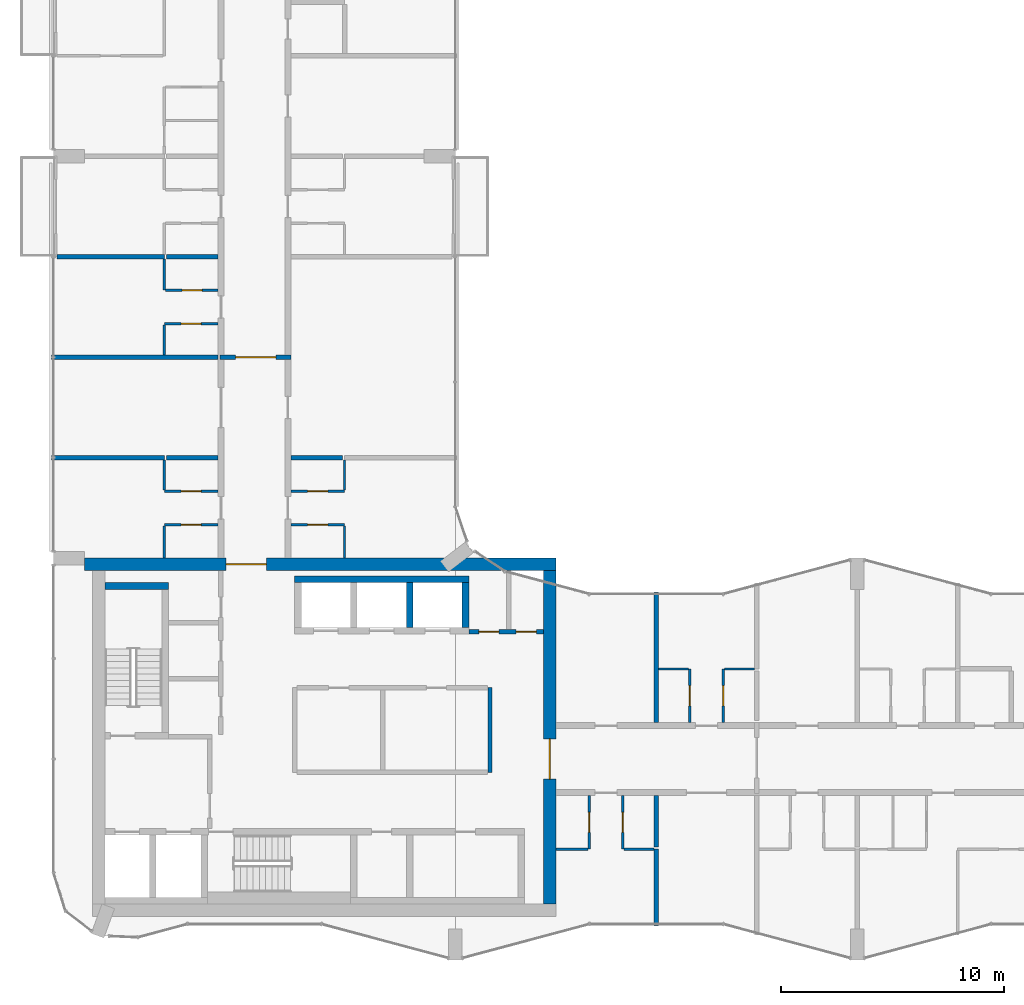
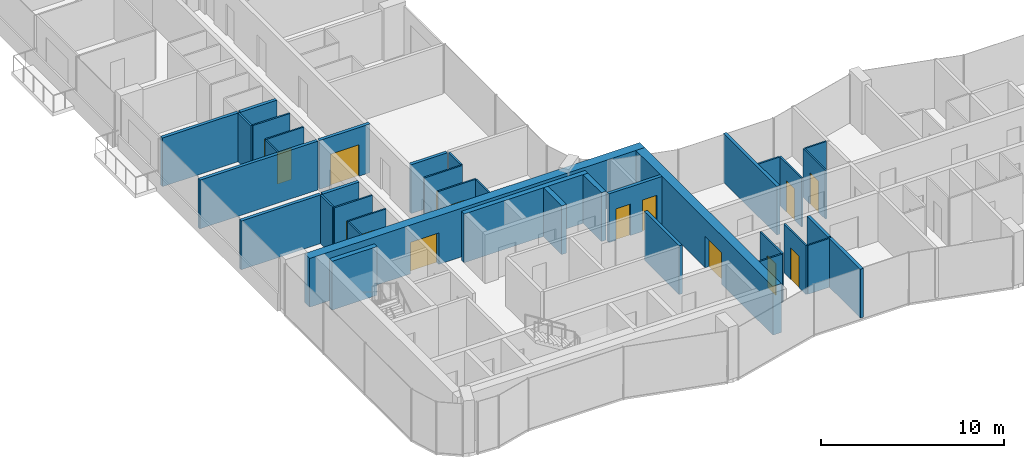
# One storey, part 10 of 15: 38 walls, 15 doors, 15 openings.
"""IFC4 building model written with IfcOpenShell, lengths in metres."""

import ifcopenshell
import ifcopenshell.guid

model = None  # the IFC model being written
_history = None  # IfcOwnerHistory: only IFC2X3 demands one
_inside = {}  # id of a spatial element -> (the spatial element, [elements in it])
_under = {}  # id of a project, library or spatial element -> (it, [spatial elements below it])
_declared = {}  # id of a project -> (the project, [libraries it declares])
_typed = {}  # id of a type object -> (the type object, [elements of that type])
_made_of = {}  # id of a material, layer set ... -> (it, [elements and type objects made of it])


def new_model(schema):
    """Start an empty IFC model of exactly this schema.

    Asked for "IFC4X3", IfcOpenShell would pick the latest addendum, in which some entities
    have other attributes; the version numbers below select the first issue.
    IFC2X3 requires an IfcOwnerHistory on every rooted entity: one is made here for all.
    """
    global model, _history
    if schema == "IFC4X3":
        model = ifcopenshell.file(schema_version=(4, 3, 0, 0))
    else:
        model = ifcopenshell.file(schema=schema)
    _inside.clear()
    _under.clear()
    _declared.clear()
    _typed.clear()
    _made_of.clear()
    _history = None
    if model.schema == "IFC2X3":
        org = make("IfcOrganization", Name="unknown")
        user = make(
            "IfcPersonAndOrganization",
            ThePerson=make("IfcPerson", FamilyName="unknown"),
            TheOrganization=org,
        )
        app = make(
            "IfcApplication",
            ApplicationDeveloper=org,
            Version="unknown",
            ApplicationFullName="unknown",
            ApplicationIdentifier="unknown",
        )
        _history = make(
            "IfcOwnerHistory",
            OwningUser=user,
            OwningApplication=app,
            ChangeAction="ADDED",
            CreationDate=0,
        )
    return model


def make(cls, **values):
    """One entity of the class cls with the attributes given. An attribute that is None is left unset."""
    return model.create_entity(
        cls, **{name: value for name, value in values.items() if value is not None}
    )


def rooted(cls, **values):
    """An entity with a GlobalId (a new one), such as an element, a storey or a relation."""
    return make(cls, GlobalId=ifcopenshell.guid.new(), OwnerHistory=_history, **values)


def si_unit(unit_type, name, prefix=None):
    """IfcSIUnit, for example si_unit("LENGTHUNIT", "METRE", prefix="MILLI")."""
    return make("IfcSIUnit", UnitType=unit_type, Prefix=prefix, Name=name)


def assignment(units):
    """IfcUnitAssignment: the units of a project."""
    return None if units is None else make("IfcUnitAssignment", Units=units)


def point(xyz):
    """IfcCartesianPoint."""
    return None if xyz is None else make("IfcCartesianPoint", Coordinates=xyz)


def direction(xyz):
    """IfcDirection."""
    return None if xyz is None else make("IfcDirection", DirectionRatios=xyz)


def frame(location, z_axis=None, x_axis=None):
    """IfcAxis2Placement3D, a coordinate frame: its origin and axes. An axis left out is left unset."""
    return make(
        "IfcAxis2Placement3D",
        Location=point(location),
        Axis=direction(z_axis),
        RefDirection=direction(x_axis),
    )


def frame_2d(location, x_axis=None):
    """IfcAxis2Placement2D, a coordinate frame in the plane: its origin and x axis."""
    return make(
        "IfcAxis2Placement2D", Location=point(location), RefDirection=direction(x_axis)
    )


def origin():
    """The frame at (0, 0, 0) with its axes left unset."""
    return frame((0.0, 0.0, 0.0))


def place(relative_to, where):
    """IfcLocalPlacement: puts the frame where relative to a parent placement (None: the world)."""
    return make(
        "IfcLocalPlacement", PlacementRelTo=relative_to, RelativePlacement=where
    )


def context(
    kind, dimensions, precision=None, world=None, true_north=None, identifier=None
):
    """IfcGeometricRepresentationContext, for example the 3D "Model" context."""
    return make(
        "IfcGeometricRepresentationContext",
        ContextIdentifier=identifier,
        ContextType=kind,
        CoordinateSpaceDimension=dimensions,
        Precision=precision,
        WorldCoordinateSystem=world,
        TrueNorth=true_north,
    )


def subcontext(parent, identifier, kind, view, scale=None):
    """IfcGeometricRepresentationSubContext, for example "Body" below "Model"."""
    return make(
        "IfcGeometricRepresentationSubContext",
        ContextIdentifier=identifier,
        ContextType=kind,
        ParentContext=parent,
        TargetScale=scale,
        TargetView=view,
    )


def project(units=None, contexts=None):
    """IfcProject with its units and contexts."""
    return rooted(
        "IfcProject",
        Name="project",
        RepresentationContexts=contexts,
        UnitsInContext=assignment(units),
    )


def spatial(cls, under=None, at=None, **own):
    """A site, building, storey or space (cls), placed at a placement, below another one or the project."""
    s = rooted(cls, ObjectPlacement=at, **own)
    if under is not None:
        _under.setdefault(under.id(), (under, []))[1].append(s)
    return s


def profile(cls, at=None, kind="AREA", **sizes):
    """A parametric profile (cls). Its sizes go by their IFC names, for example OverallWidth=200.0."""
    return make(cls, ProfileType=kind, Position=at, **sizes)


def rectangle(**sizes):
    """IfcRectangleProfileDef."""
    return profile("IfcRectangleProfileDef", **sizes)


def extrude(swept, where, along, depth):
    """IfcExtrudedAreaSolid: the profile swept, set in the frame where, extruded along a direction by depth."""
    return make(
        "IfcExtrudedAreaSolid",
        SweptArea=swept,
        Position=where,
        ExtrudedDirection=direction(along),
        Depth=depth,
    )


def shape(context_of_items, identifier, shape_type, items):
    """IfcShapeRepresentation: the items that make up one representation, for example the "Body"."""
    return make(
        "IfcShapeRepresentation",
        ContextOfItems=context_of_items,
        RepresentationIdentifier=identifier,
        RepresentationType=shape_type,
        Items=items,
    )


def material(Name=None, Category=None):
    """IfcMaterial."""
    return make("IfcMaterial", Name=Name, Category=Category)


def layer(
    of_material, thickness, ventilated=None, Name=None, Category=None, Priority=None
):
    """IfcMaterialLayer: one layer of a wall or slab, of a material (None: an air gap)."""
    return make(
        "IfcMaterialLayer",
        Material=of_material,
        LayerThickness=thickness,
        IsVentilated=ventilated,
        Name=Name,
        Category=Category,
        Priority=Priority,
    )


def layer_set(layers, Name=None):
    """IfcMaterialLayerSet."""
    return make("IfcMaterialLayerSet", MaterialLayers=layers, LayerSetName=Name)


def made_of(thing, what):
    """Note that an element or type object is made of a material, layer set ...; save() writes the relation."""
    if what is not None:
        _made_of.setdefault(what.id(), (what, []))[1].append(thing)
    return thing


def type_object(cls, material=None, **own):
    """A type object (cls), such as IfcWallType, which elements share."""
    return made_of(rooted(cls, **own), material)


def element(
    cls,
    number,
    at=None,
    inside=None,
    cuts=None,
    type_object=None,
    material=None,
    context=None,
    identifier="Body",
    shape_type=None,
    held_by="IfcProductDefinitionShape",
    body=None,
    shapes=None,
    **own,
):
    """One element of the class cls, such as IfcWall. Its Tag is "e" and its number.

    at: its placement. inside: the storey or other place that contains it. cuts: it is an
    opening in that element (IfcRelVoidsElement). A single representation is given by context,
    identifier, shape_type and body (its items); several are given by shapes. held_by: the class
    of the entity that holds the representations. save() writes the other relations.
    """
    e = rooted(cls, Tag="e%d" % number, ObjectPlacement=at, **own)
    if body is not None:
        shapes = [shape(context, identifier, shape_type, body)]
    if shapes is not None:
        e.Representation = make(held_by, Representations=shapes)
    if inside is not None:
        _inside.setdefault(inside.id(), (inside, []))[1].append(e)
    if cuts is not None:
        rooted(
            "IfcRelVoidsElement", RelatingBuildingElement=cuts, RelatedOpeningElement=e
        )
    if type_object is not None:
        _typed.setdefault(type_object.id(), (type_object, []))[1].append(e)
    return made_of(e, material)


def fill(opening, filler):
    """IfcRelFillsElement: the door or window that sits in an opening."""
    return rooted(
        "IfcRelFillsElement",
        RelatingOpeningElement=opening,
        RelatedBuildingElement=filler,
    )


def aggregate(whole, parts):
    """IfcRelAggregates: a whole, such as a stair, and the parts it consists of."""
    return rooted("IfcRelAggregates", RelatingObject=whole, RelatedObjects=parts)


def save(model, path):
    """Write the relations noted so far, then the file.

    IfcRelAggregates (storeys below a building ...), IfcRelContainedInSpatialStructure (elements
    in a storey), IfcRelDefinesByType, IfcRelAssociatesMaterial and IfcRelDeclares: one each for
    every whole, place, type object, material and project.
    """
    for whole, parts in _under.values():
        aggregate(whole, parts)
    for where, things in _inside.values():
        rooted(
            "IfcRelContainedInSpatialStructure",
            RelatedElements=things,
            RelatingStructure=where,
        )
    for kind, things in _typed.values():
        rooted("IfcRelDefinesByType", RelatedObjects=things, RelatingType=kind)
    for what, things in _made_of.values():
        rooted("IfcRelAssociatesMaterial", RelatedObjects=things, RelatingMaterial=what)
    for by, libraries in _declared.values():
        rooted("IfcRelDeclares", RelatingContext=by, RelatedDefinitions=libraries)
    model.write(path)


model = new_model("IFC4")

# Units and contexts
model_context = context("Model", 3, precision=1e-05, world=origin(), true_north=direction((0.0, 1.0)))
body_context = subcontext(model_context, "Body", "Model", "MODEL_VIEW")
ifc_project = project(units=[si_unit("LENGTHUNIT", "METRE"), si_unit("AREAUNIT", "SQUARE_METRE"), si_unit("VOLUMEUNIT", "CUBIC_METRE"), si_unit("PLANEANGLEUNIT", "RADIAN"), si_unit("MASSUNIT", "GRAM", prefix="KILO")], contexts=[model_context])

# Site, building, storey
site_placement = place(None, origin())
site = spatial("IfcSite", under=ifc_project, at=site_placement, CompositionType="ELEMENT")
building_placement = place(site_placement, origin())
building = spatial("IfcBuilding", under=site, at=building_placement, Name="Plateau Cross Towers", CompositionType="ELEMENT")
storey_placement = place(building_placement, frame((0.0, 0.0, 197.89990234375)))
storey = spatial("IfcBuildingStorey", under=building, at=storey_placement, Name="L51", CompositionType="ELEMENT", Elevation=197.89990234375)

# Wall
ifc_material_1 = material(Name="Concrete block, plastered both sides", Category="concrete")
ifc_layer_1 = layer(ifc_material_1, 0.199951171875)
ifc_layer_set_1 = layer_set([ifc_layer_1], Name="Concrete block, plastered both sides")
wall_type_1 = type_object("IfcWallType", Name="Core partition 200", PredefinedType="PARTITIONING", material=ifc_layer_set_1)
wall_1_placement = place(storey_placement, frame((19.550048828125, 8.39990234375, 0.0), z_axis=(0.0, 0.0, 1.0), x_axis=(0.0, 1.0, 0.0)))
element("IfcWall", 1, at=wall_1_placement, inside=storey, type_object=wall_type_1, Name="Core partition", PredefinedType="PARTITIONING", context=body_context, shape_type="SweptSolid", body=[
    extrude(rectangle(XDim=3.800048828125, YDim=0.199951171875, at=frame_2d((1.89990234375, 0.0))), origin(), (0.0, 0.0, 1.0), 3.25),
])

# Wall, openings, doors
wall_2_placement = place(storey_placement, frame((18.60009765625, 14.699951171875, 0.0), z_axis=(0.0, 0.0, 1.0), x_axis=(1.0, 0.0, 0.0)))
wall_2 = element("IfcWall", 2, at=wall_2_placement, inside=storey, type_object=wall_type_1, Name="Core partition", PredefinedType="PARTITIONING", context=body_context, shape_type="SweptSolid", body=[
    extrude(rectangle(XDim=3.349853515625, YDim=0.199951171875, at=frame_2d((1.6748046875, 0.0))), origin(), (0.0, 0.0, 1.0), 3.25),
])
opening_1_placement = place(wall_2_placement, frame((0.449951171875, 0.0, 0.0)))
opening_1 = element("IfcOpeningElement", 3, at=opening_1_placement, cuts=wall_2, Name="Opening RD2", PredefinedType="OPENING", context=body_context, shape_type="SweptSolid", body=[
    extrude(rectangle(XDim=0.89990234375, YDim=2.10009765625, at=frame_2d((0.449951171875, 1.050048828125))), frame((0.0, 0.10986328125, 0.0), z_axis=(0.0, -1.0, 0.0), x_axis=(1.0, 0.0, 0.0)), (0.0, 0.0, 1.0), 0.219970703125),
])
opening_2_placement = place(wall_2_placement, frame((2.125, 0.0, 0.0)))
opening_2 = element("IfcOpeningElement", 4, at=opening_2_placement, cuts=wall_2, Name="Opening RD2", PredefinedType="OPENING", context=body_context, shape_type="SweptSolid", body=[
    extrude(rectangle(XDim=0.89990234375, YDim=2.10009765625, at=frame_2d((0.449951171875, 1.050048828125))), frame((0.0, 0.10986328125, 0.0), z_axis=(0.0, -1.0, 0.0), x_axis=(1.0, 0.0, 0.0)), (0.0, 0.0, 1.0), 0.219970703125),
])
ifc_material_2 = material(Name="Steel, fire-resisting leaf", Category="steel")
door_type_1 = type_object("IfcDoorType", Name="Core riser door 900", OperationType="NOTDEFINED", PredefinedType="DOOR", material=ifc_material_2)
door_1_placement = place(opening_1_placement, origin())
door_1 = element("IfcDoor", 5, at=door_1_placement, inside=storey, type_object=door_type_1, Name="Core riser door RD2", OperationType="SINGLE_SWING_LEFT", OverallHeight=2.10009765625, OverallWidth=0.89990234375, PredefinedType="DOOR", context=body_context, shape_type="SweptSolid", body=[
    extrude(rectangle(XDim=0.89990234375, YDim=2.10009765625, at=frame_2d((0.449951171875, 1.050048828125))), frame((0.0, 0.02490234375, 0.0), z_axis=(0.0, -1.0, 0.0), x_axis=(1.0, 0.0, 0.0)), (0.0, 0.0, 1.0), 0.050048828125),
])
fill(opening_1, door_1)
door_2_placement = place(opening_2_placement, origin())
door_2 = element("IfcDoor", 6, at=door_2_placement, inside=storey, type_object=door_type_1, Name="Core riser door RD2", OperationType="SINGLE_SWING_LEFT", OverallHeight=2.10009765625, OverallWidth=0.89990234375, PredefinedType="DOOR", context=body_context, shape_type="SweptSolid", body=[
    extrude(rectangle(XDim=0.89990234375, YDim=2.10009765625, at=frame_2d((0.449951171875, 1.050048828125))), frame((0.0, 0.02490234375, 0.0), z_axis=(0.0, -1.0, 0.0), x_axis=(1.0, 0.0, 0.0)), (0.0, 0.0, 1.0), 0.050048828125),
])
fill(opening_2, door_2)

# Walls
ifc_material_3 = material(Name="Concrete C60/75", Category="concrete")
ifc_layer_2 = layer(ifc_material_3, 0.300048828125)
ifc_layer_set_2 = layer_set([ifc_layer_2], Name="Concrete C60/75")
wall_type_2 = type_object("IfcWallType", Name="Core shaft wall 300", PredefinedType="SHEAR", material=ifc_layer_set_2)
wall_3_placement = place(storey_placement, frame((2.300048828125, 16.75, 0.0), z_axis=(0.0, 0.0, 1.0), x_axis=(1.0, 0.0, 0.0)))
element("IfcWall", 7, at=wall_3_placement, inside=storey, type_object=wall_type_2, Name="A-st1-N@L51", PredefinedType="SHEAR", context=body_context, shape_type="SweptSolid", body=[
    extrude(rectangle(XDim=2.849853515625, YDim=0.300048828125, at=frame_2d((1.4248046875, 0.0))), origin(), (0.0, 0.0, 1.0), 3.25),
])
wall_4_placement = place(storey_placement, frame((10.800048828125, 17.050048828125, 0.0), z_axis=(0.0, 0.0, 1.0), x_axis=(1.0, 0.0, 0.0)))
element("IfcWall", 8, at=wall_4_placement, inside=storey, type_object=wall_type_2, Name="A-nb-back@L51", PredefinedType="SHEAR", context=body_context, shape_type="SweptSolid", body=[
    extrude(rectangle(XDim=7.800048828125, YDim=0.300048828125, at=frame_2d((3.89990234375, 0.0))), origin(), (0.0, 0.0, 1.0), 3.25),
])
for number, where, z_axis, x_axis, name in (
    (9, (15.949951171875, 14.89990234375, 0.0), (0.0, 0.0, 1.0), (0.0, 1.0, 0.0), "A-nb-v3@L51"),
    (10, (18.449951171875, 14.89990234375, 0.0), (0.0, 0.0, 1.0), (0.0, 1.0, 0.0), "A-nb-v4@L51"),
):
    element("IfcWall", number, at=place(storey_placement, frame(where, z_axis=z_axis, x_axis=x_axis)), inside=storey, type_object=wall_type_2, Name=name, PredefinedType="SHEAR", context=body_context, shape_type="SweptSolid", body=[
        extrude(rectangle(XDim=2.0, YDim=0.300048828125, at=frame_2d((1.0, 0.0))), origin(), (0.0, 0.0, 1.0), 3.25),
    ])

# Wall, opening, door
ifc_layer_3 = layer(ifc_material_3, 0.550048828125)
ifc_layer_set_3 = layer_set([ifc_layer_3], Name="Concrete C60/75")
wall_type_3 = type_object("IfcWallType", Name="Core shell wall 550", PredefinedType="SHEAR", material=ifc_layer_set_3)
wall_5_placement = place(storey_placement, frame((1.3798828125, 17.72509765625, 0.0), z_axis=(0.0, 0.0, 1.0), x_axis=(1.0, 0.0, 0.0)))
wall_5 = element("IfcWall", 11, at=wall_5_placement, inside=storey, type_object=wall_type_3, Name="A-core-N@L51", PredefinedType="SHEAR", context=body_context, shape_type="SweptSolid", body=[
    extrude(rectangle(XDim=21.1201171875, YDim=0.550048828125, at=frame_2d((10.56005859375, 0.0))), origin(), (0.0, 0.0, 1.0), 3.25),
])
opening_3_placement = place(wall_5_placement, frame((6.35009765625, 0.0, 0.0)))
opening_3 = element("IfcOpeningElement", 12, at=opening_3_placement, cuts=wall_5, Name="Opening CD", PredefinedType="OPENING", context=body_context, shape_type="SweptSolid", body=[
    extrude(rectangle(XDim=1.800048828125, YDim=2.10009765625, at=frame_2d((0.89990234375, 1.050048828125))), frame((0.0, 0.284912109375, 0.0), z_axis=(0.0, -1.0, 0.0), x_axis=(1.0, 0.0, 0.0)), (0.0, 0.0, 1.0), 0.570068359375),
])
ifc_material_4 = material(Name="Steel, fire-resisting leaves", Category="steel")
door_type_2 = type_object("IfcDoorType", Name="Corridor door pair 1800", OperationType="NOTDEFINED", PredefinedType="DOOR", material=ifc_material_4)
door_3_placement = place(opening_3_placement, origin())
door_3 = element("IfcDoor", 13, at=door_3_placement, inside=storey, type_object=door_type_2, Name="Corridor door pair CD", OperationType="DOUBLE_DOOR_SINGLE_SWING", OverallHeight=2.10009765625, OverallWidth=1.800048828125, PredefinedType="DOOR", context=body_context, shape_type="SweptSolid", body=[
    extrude(rectangle(XDim=1.800048828125, YDim=2.10009765625, at=frame_2d((0.89990234375, 1.050048828125))), frame((0.0, 0.02490234375, 0.0), z_axis=(0.0, -1.0, 0.0), x_axis=(1.0, 0.0, 0.0)), (0.0, 0.0, 1.0), 0.050048828125),
])
fill(opening_3, door_3)

wall_6_placement = place(storey_placement, frame((22.22509765625, 2.5, 0.0), z_axis=(0.0, 0.0, 1.0), x_axis=(0.0, 1.0, 0.0)))
wall_6 = element("IfcWall", 14, at=wall_6_placement, inside=storey, type_object=wall_type_3, Name="A-core-E@L51", PredefinedType="SHEAR", context=body_context, shape_type="SweptSolid", body=[
    extrude(rectangle(XDim=14.949951171875, YDim=0.550048828125, at=frame_2d((7.47509765625, 0.0))), origin(), (0.0, 0.0, 1.0), 3.25),
])
opening_4_placement = place(wall_6_placement, frame((5.60009765625, 0.0, 0.0)))
opening_4 = element("IfcOpeningElement", 15, at=opening_4_placement, cuts=wall_6, Name="Opening CD", PredefinedType="OPENING", context=body_context, shape_type="SweptSolid", body=[
    extrude(rectangle(XDim=1.800048828125, YDim=2.10009765625, at=frame_2d((0.89990234375, 1.050048828125))), frame((0.0, 0.284912109375, 0.0), z_axis=(0.0, -1.0, 0.0), x_axis=(1.0, 0.0, 0.0)), (0.0, 0.0, 1.0), 0.570068359375),
])
door_4_placement = place(opening_4_placement, origin())
door_4 = element("IfcDoor", 16, at=door_4_placement, inside=storey, type_object=door_type_2, Name="Corridor door pair CD", OperationType="DOUBLE_DOOR_SINGLE_SWING", OverallHeight=2.10009765625, OverallWidth=1.800048828125, PredefinedType="DOOR", context=body_context, shape_type="SweptSolid", body=[
    extrude(rectangle(XDim=1.800048828125, YDim=2.10009765625, at=frame_2d((0.89990234375, 1.050048828125))), frame((0.0, 0.02490234375, 0.0), z_axis=(0.0, -1.0, 0.0), x_axis=(1.0, 0.0, 0.0)), (0.0, 0.0, 1.0), 0.050048828125),
])
fill(opening_4, door_4)

# Walls
ifc_material_5 = material(Name="Gypsum board on steel studs", Category="steel")
ifc_layer_4 = layer(ifc_material_5, 0.10009765625)
ifc_layer_set_4 = layer_set([ifc_layer_4], Name="Gypsum board on steel studs")
wall_type_4 = type_object("IfcWallType", Name="Flat partition 100", PredefinedType="PARTITIONING", material=ifc_layer_set_4)
wall_7_placement = place(storey_placement, frame((22.5, 4.96240234375, 0.0), z_axis=(0.0, 0.0, 1.0), x_axis=(1.0, 0.0, 0.0)))
element("IfcWall", 17, at=wall_7_placement, inside=storey, type_object=wall_type_4, Name="Partition wall", PredefinedType="PARTITIONING", context=body_context, shape_type="SweptSolid", body=[
    extrude(rectangle(XDim=1.449951171875, YDim=0.10009765625, at=frame_2d((0.72509765625, 0.0))), origin(), (0.0, 0.0, 1.0), 3.25),
])
for number, where, z_axis, x_axis, name in (
    (18, (25.550048828125, 4.96240234375, 0.0), (0.0, 0.0, 1.0), (1.0, 0.0, 0.0), "Partition wall"),
    (19, (28.449951171875, 13.03759765625, 0.0), (0.0, 0.0, 1.0), (-1.0, 0.0, 0.0), "Partition wall"),
    (20, (31.39990234375, 13.03759765625, 0.0), (0.0, 0.0, 1.0), (-1.0, 0.0, 0.0), "Partition wall"),
):
    element("IfcWall", number, at=place(storey_placement, frame(where, z_axis=z_axis, x_axis=x_axis)), inside=storey, type_object=wall_type_4, Name=name, PredefinedType="PARTITIONING", context=body_context, shape_type="SweptSolid", body=[
        extrude(rectangle(XDim=1.349853515625, YDim=0.10009765625, at=frame_2d((0.6748046875, 0.0))), origin(), (0.0, 0.0, 1.0), 3.25),
    ])

# Wall, opening, door
wall_8_placement = place(storey_placement, frame((7.362548828125, 19.5, 0.0), z_axis=(0.0, 0.0, 1.0), x_axis=(-1.0, 0.0, 0.0)))
wall_8 = element("IfcWall", 21, at=wall_8_placement, inside=storey, type_object=wall_type_4, Name="Partition wall", PredefinedType="PARTITIONING", context=body_context, shape_type="SweptSolid", body=[
    extrude(rectangle(XDim=2.400146484375, YDim=0.10009765625, at=frame_2d((1.2001953125, 0.0))), origin(), (0.0, 0.0, 1.0), 3.25),
])
opening_5_placement = place(wall_8_placement, frame((0.75, 0.0, 0.0)))
opening_5 = element("IfcOpeningElement", 22, at=opening_5_placement, cuts=wall_8, Name="Opening 51-39", PredefinedType="OPENING", context=body_context, shape_type="SweptSolid", body=[
    extrude(rectangle(XDim=0.89990234375, YDim=2.10009765625, at=frame_2d((0.449951171875, 1.050048828125))), frame((0.0, 0.06005859375, 0.0), z_axis=(0.0, -1.0, 0.0), x_axis=(1.0, 0.0, 0.0)), (0.0, 0.0, 1.0), 0.1201171875),
])
ifc_material_6 = material(Name="Timber leaf", Category="wood")
door_type_3 = type_object("IfcDoorType", Name="Flat room door 900", OperationType="NOTDEFINED", PredefinedType="DOOR", material=ifc_material_6)
door_5_placement = place(opening_5_placement, origin())
door_5 = element("IfcDoor", 23, at=door_5_placement, inside=storey, type_object=door_type_3, Name="Door 51-39", OperationType="SINGLE_SWING_RIGHT", OverallHeight=2.10009765625, OverallWidth=0.89990234375, PredefinedType="DOOR", context=body_context, shape_type="SweptSolid", body=[
    extrude(rectangle(XDim=0.89990234375, YDim=2.10009765625, at=frame_2d((0.449951171875, 1.050048828125))), frame((0.0, 0.02490234375, 0.0), z_axis=(0.0, -1.0, 0.0), x_axis=(1.0, 0.0, 0.0)), (0.0, 0.0, 1.0), 0.050048828125),
])
fill(opening_5, door_5)

wall_9_placement = place(storey_placement, frame((13.03759765625, 19.5, 0.0), z_axis=(0.0, 0.0, 1.0), x_axis=(-1.0, 0.0, 0.0)))
wall_9 = element("IfcWall", 24, at=wall_9_placement, inside=storey, type_object=wall_type_4, Name="Partition wall", PredefinedType="PARTITIONING", context=body_context, shape_type="SweptSolid", body=[
    extrude(rectangle(XDim=2.400146484375, YDim=0.10009765625, at=frame_2d((1.2001953125, 0.0))), origin(), (0.0, 0.0, 1.0), 3.25),
])
opening_6_placement = place(wall_9_placement, frame((0.75, 0.0, 0.0)))
opening_6 = element("IfcOpeningElement", 25, at=opening_6_placement, cuts=wall_9, Name="Opening 51-50", PredefinedType="OPENING", context=body_context, shape_type="SweptSolid", body=[
    extrude(rectangle(XDim=0.89990234375, YDim=2.10009765625, at=frame_2d((0.449951171875, 1.050048828125))), frame((0.0, 0.06005859375, 0.0), z_axis=(0.0, -1.0, 0.0), x_axis=(1.0, 0.0, 0.0)), (0.0, 0.0, 1.0), 0.1201171875),
])
door_6_placement = place(opening_6_placement, origin())
door_6 = element("IfcDoor", 26, at=door_6_placement, inside=storey, type_object=door_type_3, Name="Door 51-50", OperationType="SINGLE_SWING_LEFT", OverallHeight=2.10009765625, OverallWidth=0.89990234375, PredefinedType="DOOR", context=body_context, shape_type="SweptSolid", body=[
    extrude(rectangle(XDim=0.89990234375, YDim=2.10009765625, at=frame_2d((0.449951171875, 1.050048828125))), frame((0.0, 0.02490234375, 0.0), z_axis=(0.0, -1.0, 0.0), x_axis=(1.0, 0.0, 0.0)), (0.0, 0.0, 1.0), 0.050048828125),
])
fill(opening_6, door_6)

wall_10_placement = place(storey_placement, frame((4.96240234375, 21.0, 0.0), z_axis=(0.0, 0.0, 1.0), x_axis=(1.0, 0.0, 0.0)))
wall_10 = element("IfcWall", 27, at=wall_10_placement, inside=storey, type_object=wall_type_4, Name="Partition wall", PredefinedType="PARTITIONING", context=body_context, shape_type="SweptSolid", body=[
    extrude(rectangle(XDim=2.400146484375, YDim=0.10009765625, at=frame_2d((1.2001953125, 0.0))), origin(), (0.0, 0.0, 1.0), 3.25),
])
opening_7_placement = place(wall_10_placement, frame((0.75, 0.0, 0.0)))
opening_7 = element("IfcOpeningElement", 28, at=opening_7_placement, cuts=wall_10, Name="Opening 51-40", PredefinedType="OPENING", context=body_context, shape_type="SweptSolid", body=[
    extrude(rectangle(XDim=0.89990234375, YDim=2.10009765625, at=frame_2d((0.449951171875, 1.050048828125))), frame((0.0, 0.06005859375, 0.0), z_axis=(0.0, -1.0, 0.0), x_axis=(1.0, 0.0, 0.0)), (0.0, 0.0, 1.0), 0.1201171875),
])
door_7_placement = place(opening_7_placement, origin())
door_7 = element("IfcDoor", 29, at=door_7_placement, inside=storey, type_object=door_type_3, Name="Door 51-40", OperationType="SINGLE_SWING_RIGHT", OverallHeight=2.10009765625, OverallWidth=0.89990234375, PredefinedType="DOOR", context=body_context, shape_type="SweptSolid", body=[
    extrude(rectangle(XDim=0.89990234375, YDim=2.10009765625, at=frame_2d((0.449951171875, 1.050048828125))), frame((0.0, 0.02490234375, 0.0), z_axis=(0.0, -1.0, 0.0), x_axis=(1.0, 0.0, 0.0)), (0.0, 0.0, 1.0), 0.050048828125),
])
fill(opening_7, door_7)

wall_11_placement = place(storey_placement, frame((10.637451171875, 21.0, 0.0), z_axis=(0.0, 0.0, 1.0), x_axis=(1.0, 0.0, 0.0)))
wall_11 = element("IfcWall", 30, at=wall_11_placement, inside=storey, type_object=wall_type_4, Name="Partition wall", PredefinedType="PARTITIONING", context=body_context, shape_type="SweptSolid", body=[
    extrude(rectangle(XDim=2.400146484375, YDim=0.10009765625, at=frame_2d((1.2001953125, 0.0))), origin(), (0.0, 0.0, 1.0), 3.25),
])
opening_8_placement = place(wall_11_placement, frame((0.75, 0.0, 0.0)))
opening_8 = element("IfcOpeningElement", 31, at=opening_8_placement, cuts=wall_11, Name="Opening 51-51", PredefinedType="OPENING", context=body_context, shape_type="SweptSolid", body=[
    extrude(rectangle(XDim=0.89990234375, YDim=2.10009765625, at=frame_2d((0.449951171875, 1.050048828125))), frame((0.0, 0.06005859375, 0.0), z_axis=(0.0, -1.0, 0.0), x_axis=(1.0, 0.0, 0.0)), (0.0, 0.0, 1.0), 0.1201171875),
])
door_8_placement = place(opening_8_placement, origin())
door_8 = element("IfcDoor", 32, at=door_8_placement, inside=storey, type_object=door_type_3, Name="Door 51-51", OperationType="SINGLE_SWING_LEFT", OverallHeight=2.10009765625, OverallWidth=0.89990234375, PredefinedType="DOOR", context=body_context, shape_type="SweptSolid", body=[
    extrude(rectangle(XDim=0.89990234375, YDim=2.10009765625, at=frame_2d((0.449951171875, 1.050048828125))), frame((0.0, 0.02490234375, 0.0), z_axis=(0.0, -1.0, 0.0), x_axis=(1.0, 0.0, 0.0)), (0.0, 0.0, 1.0), 0.050048828125),
])
fill(opening_8, door_8)

wall_12_placement = place(storey_placement, frame((7.362548828125, 28.5, 0.0), z_axis=(0.0, 0.0, 1.0), x_axis=(-1.0, 0.0, 0.0)))
wall_12 = element("IfcWall", 33, at=wall_12_placement, inside=storey, type_object=wall_type_4, Name="Partition wall", PredefinedType="PARTITIONING", context=body_context, shape_type="SweptSolid", body=[
    extrude(rectangle(XDim=2.400146484375, YDim=0.10009765625, at=frame_2d((1.2001953125, 0.0))), origin(), (0.0, 0.0, 1.0), 3.25),
])
opening_9_placement = place(wall_12_placement, frame((0.75, 0.0, 0.0)))
opening_9 = element("IfcOpeningElement", 34, at=opening_9_placement, cuts=wall_12, Name="Opening 51-41", PredefinedType="OPENING", context=body_context, shape_type="SweptSolid", body=[
    extrude(rectangle(XDim=0.89990234375, YDim=2.10009765625, at=frame_2d((0.449951171875, 1.050048828125))), frame((0.0, 0.06005859375, 0.0), z_axis=(0.0, -1.0, 0.0), x_axis=(1.0, 0.0, 0.0)), (0.0, 0.0, 1.0), 0.1201171875),
])
door_9_placement = place(opening_9_placement, origin())
door_9 = element("IfcDoor", 35, at=door_9_placement, inside=storey, type_object=door_type_3, Name="Door 51-41", OperationType="SINGLE_SWING_RIGHT", OverallHeight=2.10009765625, OverallWidth=0.89990234375, PredefinedType="DOOR", context=body_context, shape_type="SweptSolid", body=[
    extrude(rectangle(XDim=0.89990234375, YDim=2.10009765625, at=frame_2d((0.449951171875, 1.050048828125))), frame((0.0, 0.02490234375, 0.0), z_axis=(0.0, -1.0, 0.0), x_axis=(1.0, 0.0, 0.0)), (0.0, 0.0, 1.0), 0.050048828125),
])
fill(opening_9, door_9)

wall_13_placement = place(storey_placement, frame((5.012451171875, 30.0, 0.0), z_axis=(0.0, 0.0, 1.0), x_axis=(1.0, 0.0, 0.0)))
wall_13 = element("IfcWall", 36, at=wall_13_placement, inside=storey, type_object=wall_type_4, Name="Partition wall", PredefinedType="PARTITIONING", context=body_context, shape_type="SweptSolid", body=[
    extrude(rectangle(XDim=2.35009765625, YDim=0.10009765625, at=frame_2d((1.175048828125, 0.0))), origin(), (0.0, 0.0, 1.0), 3.25),
])
opening_10_placement = place(wall_13_placement, frame((0.75, 0.0, 0.0)))
opening_10 = element("IfcOpeningElement", 37, at=opening_10_placement, cuts=wall_13, Name="Opening 51-42", PredefinedType="OPENING", context=body_context, shape_type="SweptSolid", body=[
    extrude(rectangle(XDim=0.89990234375, YDim=2.10009765625, at=frame_2d((0.449951171875, 1.050048828125))), frame((0.0, 0.06005859375, 0.0), z_axis=(0.0, -1.0, 0.0), x_axis=(1.0, 0.0, 0.0)), (0.0, 0.0, 1.0), 0.1201171875),
])
door_10_placement = place(opening_10_placement, origin())
door_10 = element("IfcDoor", 38, at=door_10_placement, inside=storey, type_object=door_type_3, Name="Door 51-42", OperationType="SINGLE_SWING_RIGHT", OverallHeight=2.10009765625, OverallWidth=0.89990234375, PredefinedType="DOOR", context=body_context, shape_type="SweptSolid", body=[
    extrude(rectangle(XDim=0.89990234375, YDim=2.10009765625, at=frame_2d((0.449951171875, 1.050048828125))), frame((0.0, 0.02490234375, 0.0), z_axis=(0.0, -1.0, 0.0), x_axis=(1.0, 0.0, 0.0)), (0.0, 0.0, 1.0), 0.050048828125),
])
fill(opening_10, door_10)

# Walls
wall_14_placement = place(storey_placement, frame((4.96240234375, 19.449951171875, 0.0), z_axis=(0.0, 0.0, 1.0), x_axis=(0.0, -1.0, 0.0)))
element("IfcWall", 39, at=wall_14_placement, inside=storey, type_object=wall_type_4, Name="Partition wall", PredefinedType="PARTITIONING", context=body_context, shape_type="SweptSolid", body=[
    extrude(rectangle(XDim=1.449951171875, YDim=0.10009765625, at=frame_2d((0.72509765625, 0.0))), origin(), (0.0, 0.0, 1.0), 3.25),
])
for number, where, z_axis, x_axis, name in (
    (40, (4.96240234375, 22.39990234375, 0.0), (0.0, 0.0, 1.0), (0.0, -1.0, 0.0), "Partition wall"),
    (41, (4.96240234375, 28.449951171875, 0.0), (0.0, 0.0, 1.0), (0.0, -1.0, 0.0), "Partition wall"),
):
    element("IfcWall", number, at=place(storey_placement, frame(where, z_axis=z_axis, x_axis=x_axis)), inside=storey, type_object=wall_type_4, Name=name, PredefinedType="PARTITIONING", context=body_context, shape_type="SweptSolid", body=[
        extrude(rectangle(XDim=1.349853515625, YDim=0.10009765625, at=frame_2d((0.6748046875, 0.0))), origin(), (0.0, 0.0, 1.0), 3.25),
    ])
wall_15_placement = place(storey_placement, frame((4.96240234375, 31.39990234375, 0.0), z_axis=(0.0, 0.0, 1.0), x_axis=(0.0, -1.0, 0.0)))
element("IfcWall", 42, at=wall_15_placement, inside=storey, type_object=wall_type_4, Name="Partition wall", PredefinedType="PARTITIONING", context=body_context, shape_type="SweptSolid", body=[
    extrude(rectangle(XDim=1.39990234375, YDim=0.10009765625, at=frame_2d((0.699951171875, 0.0))), origin(), (0.0, 0.0, 1.0), 3.25),
])
wall_16_placement = place(storey_placement, frame((13.03759765625, 18.0, 0.0), z_axis=(0.0, 0.0, 1.0), x_axis=(0.0, 1.0, 0.0)))
element("IfcWall", 43, at=wall_16_placement, inside=storey, type_object=wall_type_4, Name="Partition wall", PredefinedType="PARTITIONING", context=body_context, shape_type="SweptSolid", body=[
    extrude(rectangle(XDim=1.449951171875, YDim=0.10009765625, at=frame_2d((0.72509765625, 0.0))), origin(), (0.0, 0.0, 1.0), 3.25),
])
wall_17_placement = place(storey_placement, frame((13.03759765625, 21.050048828125, 0.0), z_axis=(0.0, 0.0, 1.0), x_axis=(0.0, 1.0, 0.0)))
element("IfcWall", 44, at=wall_17_placement, inside=storey, type_object=wall_type_4, Name="Partition wall", PredefinedType="PARTITIONING", context=body_context, shape_type="SweptSolid", body=[
    extrude(rectangle(XDim=1.349853515625, YDim=0.10009765625, at=frame_2d((0.6748046875, 0.0))), origin(), (0.0, 0.0, 1.0), 3.25),
])

# Wall, opening, door
wall_18_placement = place(storey_placement, frame((24.0, 4.96240234375, 0.0), z_axis=(0.0, 0.0, 1.0), x_axis=(0.0, 1.0, 0.0)))
wall_18 = element("IfcWall", 45, at=wall_18_placement, inside=storey, type_object=wall_type_4, Name="Partition wall", PredefinedType="PARTITIONING", context=body_context, shape_type="SweptSolid", body=[
    extrude(rectangle(XDim=2.400146484375, YDim=0.10009765625, at=frame_2d((1.2001953125, 0.0))), origin(), (0.0, 0.0, 1.0), 3.25),
])
opening_11_placement = place(wall_18_placement, frame((0.75, 0.0, 0.0)))
opening_11 = element("IfcOpeningElement", 46, at=opening_11_placement, cuts=wall_18, Name="Opening 51-26", PredefinedType="OPENING", context=body_context, shape_type="SweptSolid", body=[
    extrude(rectangle(XDim=0.89990234375, YDim=2.10009765625, at=frame_2d((0.449951171875, 1.050048828125))), frame((0.0, 0.06005859375, 0.0), z_axis=(0.0, -1.0, 0.0), x_axis=(1.0, 0.0, 0.0)), (0.0, 0.0, 1.0), 0.1201171875),
])
door_11_placement = place(opening_11_placement, origin())
door_11 = element("IfcDoor", 47, at=door_11_placement, inside=storey, type_object=door_type_3, Name="Door 51-26", OperationType="SINGLE_SWING_RIGHT", OverallHeight=2.10009765625, OverallWidth=0.89990234375, PredefinedType="DOOR", context=body_context, shape_type="SweptSolid", body=[
    extrude(rectangle(XDim=0.89990234375, YDim=2.10009765625, at=frame_2d((0.449951171875, 1.050048828125))), frame((0.0, 0.02490234375, 0.0), z_axis=(0.0, -1.0, 0.0), x_axis=(1.0, 0.0, 0.0)), (0.0, 0.0, 1.0), 0.050048828125),
])
fill(opening_11, door_11)

wall_19_placement = place(storey_placement, frame((25.5, 7.362548828125, 0.0), z_axis=(0.0, 0.0, 1.0), x_axis=(0.0, -1.0, 0.0)))
wall_19 = element("IfcWall", 48, at=wall_19_placement, inside=storey, type_object=wall_type_4, Name="Partition wall", PredefinedType="PARTITIONING", context=body_context, shape_type="SweptSolid", body=[
    extrude(rectangle(XDim=2.400146484375, YDim=0.10009765625, at=frame_2d((1.2001953125, 0.0))), origin(), (0.0, 0.0, 1.0), 3.25),
])
opening_12_placement = place(wall_19_placement, frame((0.75, 0.0, 0.0)))
opening_12 = element("IfcOpeningElement", 49, at=opening_12_placement, cuts=wall_19, Name="Opening 51-27", PredefinedType="OPENING", context=body_context, shape_type="SweptSolid", body=[
    extrude(rectangle(XDim=0.89990234375, YDim=2.10009765625, at=frame_2d((0.449951171875, 1.050048828125))), frame((0.0, 0.06005859375, 0.0), z_axis=(0.0, -1.0, 0.0), x_axis=(1.0, 0.0, 0.0)), (0.0, 0.0, 1.0), 0.1201171875),
])
door_12_placement = place(opening_12_placement, origin())
door_12 = element("IfcDoor", 50, at=door_12_placement, inside=storey, type_object=door_type_3, Name="Door 51-27", OperationType="SINGLE_SWING_RIGHT", OverallHeight=2.10009765625, OverallWidth=0.89990234375, PredefinedType="DOOR", context=body_context, shape_type="SweptSolid", body=[
    extrude(rectangle(XDim=0.89990234375, YDim=2.10009765625, at=frame_2d((0.449951171875, 1.050048828125))), frame((0.0, 0.02490234375, 0.0), z_axis=(0.0, -1.0, 0.0), x_axis=(1.0, 0.0, 0.0)), (0.0, 0.0, 1.0), 0.050048828125),
])
fill(opening_12, door_12)

wall_20_placement = place(storey_placement, frame((28.5, 10.637451171875, 0.0), z_axis=(0.0, 0.0, 1.0), x_axis=(0.0, 1.0, 0.0)))
wall_20 = element("IfcWall", 51, at=wall_20_placement, inside=storey, type_object=wall_type_4, Name="Partition wall", PredefinedType="PARTITIONING", context=body_context, shape_type="SweptSolid", body=[
    extrude(rectangle(XDim=2.400146484375, YDim=0.10009765625, at=frame_2d((1.2001953125, 0.0))), origin(), (0.0, 0.0, 1.0), 3.25),
])
opening_13_placement = place(wall_20_placement, frame((0.75, 0.0, 0.0)))
opening_13 = element("IfcOpeningElement", 52, at=opening_13_placement, cuts=wall_20, Name="Opening 51-35", PredefinedType="OPENING", context=body_context, shape_type="SweptSolid", body=[
    extrude(rectangle(XDim=0.89990234375, YDim=2.10009765625, at=frame_2d((0.449951171875, 1.050048828125))), frame((0.0, 0.06005859375, 0.0), z_axis=(0.0, -1.0, 0.0), x_axis=(1.0, 0.0, 0.0)), (0.0, 0.0, 1.0), 0.1201171875),
])
door_13_placement = place(opening_13_placement, origin())
door_13 = element("IfcDoor", 53, at=door_13_placement, inside=storey, type_object=door_type_3, Name="Door 51-35", OperationType="SINGLE_SWING_LEFT", OverallHeight=2.10009765625, OverallWidth=0.89990234375, PredefinedType="DOOR", context=body_context, shape_type="SweptSolid", body=[
    extrude(rectangle(XDim=0.89990234375, YDim=2.10009765625, at=frame_2d((0.449951171875, 1.050048828125))), frame((0.0, 0.02490234375, 0.0), z_axis=(0.0, -1.0, 0.0), x_axis=(1.0, 0.0, 0.0)), (0.0, 0.0, 1.0), 0.050048828125),
])
fill(opening_13, door_13)

wall_21_placement = place(storey_placement, frame((30.0, 13.03759765625, 0.0), z_axis=(0.0, 0.0, 1.0), x_axis=(0.0, -1.0, 0.0)))
wall_21 = element("IfcWall", 54, at=wall_21_placement, inside=storey, type_object=wall_type_4, Name="Partition wall", PredefinedType="PARTITIONING", context=body_context, shape_type="SweptSolid", body=[
    extrude(rectangle(XDim=2.400146484375, YDim=0.10009765625, at=frame_2d((1.2001953125, 0.0))), origin(), (0.0, 0.0, 1.0), 3.25),
])
opening_14_placement = place(wall_21_placement, frame((0.75, 0.0, 0.0)))
opening_14 = element("IfcOpeningElement", 55, at=opening_14_placement, cuts=wall_21, Name="Opening 51-36", PredefinedType="OPENING", context=body_context, shape_type="SweptSolid", body=[
    extrude(rectangle(XDim=0.89990234375, YDim=2.10009765625, at=frame_2d((0.449951171875, 1.050048828125))), frame((0.0, 0.06005859375, 0.0), z_axis=(0.0, -1.0, 0.0), x_axis=(1.0, 0.0, 0.0)), (0.0, 0.0, 1.0), 0.1201171875),
])
door_14_placement = place(opening_14_placement, origin())
door_14 = element("IfcDoor", 56, at=door_14_placement, inside=storey, type_object=door_type_3, Name="Door 51-36", OperationType="SINGLE_SWING_LEFT", OverallHeight=2.10009765625, OverallWidth=0.89990234375, PredefinedType="DOOR", context=body_context, shape_type="SweptSolid", body=[
    extrude(rectangle(XDim=0.89990234375, YDim=2.10009765625, at=frame_2d((0.449951171875, 1.050048828125))), frame((0.0, 0.02490234375, 0.0), z_axis=(0.0, -1.0, 0.0), x_axis=(1.0, 0.0, 0.0)), (0.0, 0.0, 1.0), 0.050048828125),
])
fill(opening_14, door_14)

# Walls
ifc_material_7 = material(Name="Gypsum board on steel studs, two layers each side", Category="steel")
ifc_layer_5 = layer(ifc_material_7, 0.199951171875)
ifc_layer_set_5 = layer_set([ifc_layer_5], Name="Gypsum board on steel studs, two layers each side")
wall_type_5 = type_object("IfcWallType", Name="Flat party wall 200", PredefinedType="PARTITIONING", material=ifc_layer_set_5)
for number, where, z_axis, x_axis, name in (
    (57, (7.362548828125, 22.5, 0.0), (0.0, 0.0, 1.0), (-1.0, 0.0, 0.0), "Party wall"),
    (58, (12.9375, 22.5, 0.0), (0.0, 0.0, 1.0), (-1.0, 0.0, 0.0), "Party wall"),
):
    element("IfcWall", number, at=place(storey_placement, frame(where, z_axis=z_axis, x_axis=x_axis)), inside=storey, type_object=wall_type_5, Name=name, PredefinedType="PARTITIONING", context=body_context, shape_type="SweptSolid", body=[
        extrude(rectangle(XDim=2.300048828125, YDim=0.199951171875, at=frame_2d((1.14990234375, 0.0))), origin(), (0.0, 0.0, 1.0), 3.25),
    ])
wall_22_placement = place(storey_placement, frame((-0.080078125, 22.5, 0.0), z_axis=(0.0, 0.0, 1.0), x_axis=(1.0, 0.0, 0.0)))
element("IfcWall", 59, at=wall_22_placement, inside=storey, type_object=wall_type_5, Name="Party wall", PredefinedType="PARTITIONING", context=body_context, shape_type="SweptSolid", body=[
    extrude(rectangle(XDim=5.04248046875, YDim=0.199951171875, at=frame_2d((2.521240234375, 0.0))), origin(), (0.0, 0.0, 1.0), 3.25),
])
wall_23_placement = place(storey_placement, frame((7.362548828125, 27.0, 0.0), z_axis=(0.0, 0.0, 1.0), x_axis=(-1.0, 0.0, 0.0)))
element("IfcWall", 60, at=wall_23_placement, inside=storey, type_object=wall_type_5, Name="Party wall", PredefinedType="PARTITIONING", context=body_context, shape_type="SweptSolid", body=[
    extrude(rectangle(XDim=7.442626953125, YDim=0.199951171875, at=frame_2d((3.72119140625, 0.0))), origin(), (0.0, 0.0, 1.0), 3.25),
])
wall_24_placement = place(storey_placement, frame((7.362548828125, 31.5, 0.0), z_axis=(0.0, 0.0, 1.0), x_axis=(-1.0, 0.0, 0.0)))
element("IfcWall", 61, at=wall_24_placement, inside=storey, type_object=wall_type_5, Name="Party wall", PredefinedType="PARTITIONING", context=body_context, shape_type="SweptSolid", body=[
    extrude(rectangle(XDim=2.300048828125, YDim=0.199951171875, at=frame_2d((1.14990234375, 0.0))), origin(), (0.0, 0.0, 1.0), 3.25),
])
wall_25_placement = place(storey_placement, frame((0.14990234375, 31.5, 0.0), z_axis=(0.0, 0.0, 1.0), x_axis=(1.0, 0.0, 0.0)))
element("IfcWall", 62, at=wall_25_placement, inside=storey, type_object=wall_type_5, Name="Party wall", PredefinedType="PARTITIONING", context=body_context, shape_type="SweptSolid", body=[
    extrude(rectangle(XDim=4.8125, YDim=0.199951171875, at=frame_2d((2.40625, 0.0))), origin(), (0.0, 0.0, 1.0), 3.25),
])
wall_26_placement = place(storey_placement, frame((27.0, 4.96240234375, 0.0), z_axis=(0.0, 0.0, 1.0), x_axis=(0.0, -1.0, 0.0)))
element("IfcWall", 63, at=wall_26_placement, inside=storey, type_object=wall_type_5, Name="Party wall", PredefinedType="PARTITIONING", context=body_context, shape_type="SweptSolid", body=[
    extrude(rectangle(XDim=3.435546875, YDim=0.199951171875, at=frame_2d((1.7177734375, 0.0))), origin(), (0.0, 0.0, 1.0), 3.25),
])
wall_27_placement = place(storey_placement, frame((27.0, 5.0625, 0.0), z_axis=(0.0, 0.0, 1.0), x_axis=(0.0, 1.0, 0.0)))
element("IfcWall", 64, at=wall_27_placement, inside=storey, type_object=wall_type_5, Name="Party wall", PredefinedType="PARTITIONING", context=body_context, shape_type="SweptSolid", body=[
    extrude(rectangle(XDim=2.300048828125, YDim=0.199951171875, at=frame_2d((1.14990234375, 0.0))), origin(), (0.0, 0.0, 1.0), 3.25),
])
wall_28_placement = place(storey_placement, frame((27.0, 10.637451171875, 0.0), z_axis=(0.0, 0.0, 1.0), x_axis=(0.0, 1.0, 0.0)))
element("IfcWall", 65, at=wall_28_placement, inside=storey, type_object=wall_type_5, Name="Party wall", PredefinedType="PARTITIONING", context=body_context, shape_type="SweptSolid", body=[
    extrude(rectangle(XDim=5.835693359375, YDim=0.199951171875, at=frame_2d((2.91796875, 0.0))), origin(), (0.0, 0.0, 1.0), 3.25),
])

# Wall, opening, door
wall_29_placement = place(storey_placement, frame((7.46240234375, 27.0, 0.0), z_axis=(0.0, 0.0, 1.0), x_axis=(1.0, 0.0, 0.0)))
wall_29 = element("IfcWall", 66, at=wall_29_placement, inside=storey, type_object=wall_type_5, Name="Party wall", PredefinedType="PARTITIONING", context=body_context, shape_type="SweptSolid", body=[
    extrude(rectangle(XDim=3.175048828125, YDim=0.199951171875, at=frame_2d((1.58740234375, 0.0))), origin(), (0.0, 0.0, 1.0), 3.25),
])
opening_15_placement = place(wall_29_placement, frame((0.699951171875, 0.0, 0.0)))
opening_15 = element("IfcOpeningElement", 67, at=opening_15_placement, cuts=wall_29, Name="Opening 51-23", PredefinedType="OPENING", context=body_context, shape_type="SweptSolid", body=[
    extrude(rectangle(XDim=1.800048828125, YDim=2.10009765625, at=frame_2d((0.89990234375, 1.050048828125))), frame((0.0, 0.10986328125, 0.0), z_axis=(0.0, -1.0, 0.0), x_axis=(1.0, 0.0, 0.0)), (0.0, 0.0, 1.0), 0.219970703125),
])
ifc_material_8 = material(Name="Timber, fire-resisting leaves", Category="wood")
door_type_4 = type_object("IfcDoorType", Name="Flat floor fire door pair 1800", OperationType="NOTDEFINED", PredefinedType="DOOR", material=ifc_material_8)
door_15_placement = place(opening_15_placement, origin())
door_15 = element("IfcDoor", 68, at=door_15_placement, inside=storey, type_object=door_type_4, Name="Door 51-23", OperationType="SINGLE_SWING_RIGHT", OverallHeight=2.10009765625, OverallWidth=1.800048828125, PredefinedType="DOOR", context=body_context, shape_type="SweptSolid", body=[
    extrude(rectangle(XDim=1.800048828125, YDim=2.10009765625, at=frame_2d((0.89990234375, 1.050048828125))), frame((0.0, 0.02490234375, 0.0), z_axis=(0.0, -1.0, 0.0), x_axis=(1.0, 0.0, 0.0)), (0.0, 0.0, 1.0), 0.050048828125),
])
fill(opening_15, door_15)

save(model, "model.ifc")
